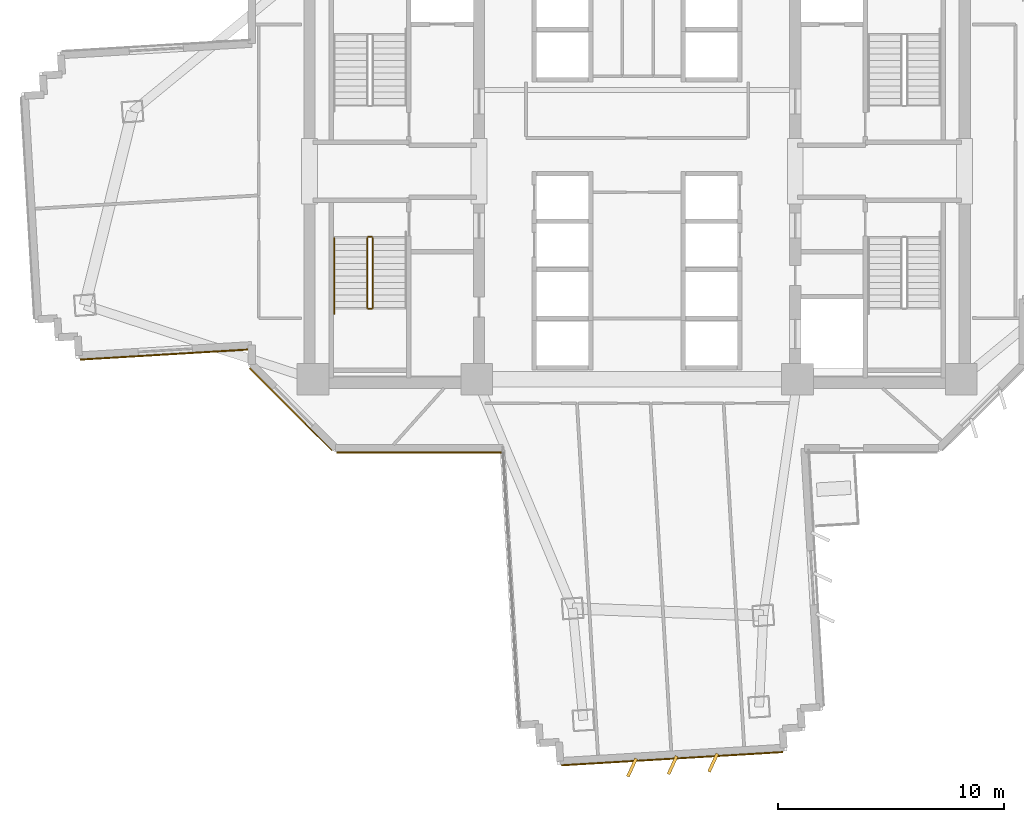
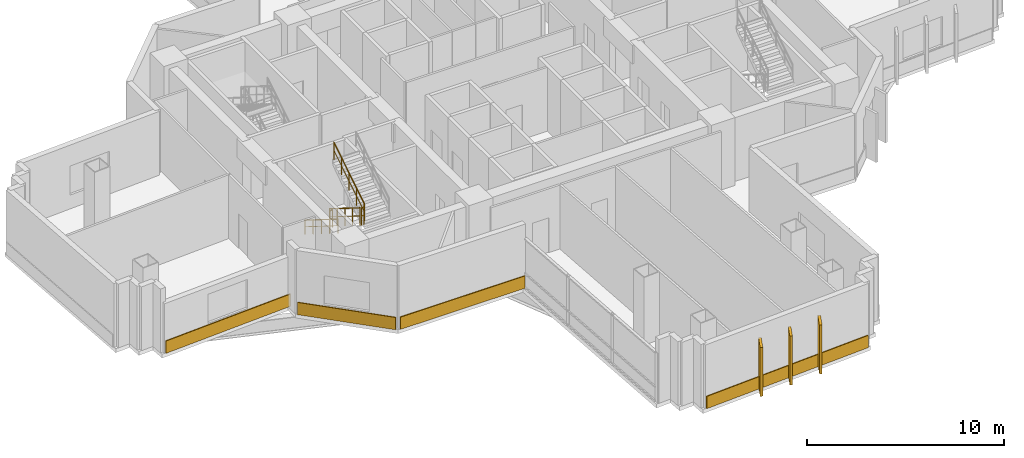
# One storey, part 11 of 15: 7 coverings, 5 railings.
"""IFC4 building model written with IfcOpenShell, lengths in metres."""

import ifcopenshell
import ifcopenshell.guid

model = None  # the IFC model being written
_history = None  # IfcOwnerHistory: only IFC2X3 demands one
_inside = {}  # id of a spatial element -> (the spatial element, [elements in it])
_under = {}  # id of a project, library or spatial element -> (it, [spatial elements below it])
_declared = {}  # id of a project -> (the project, [libraries it declares])
_typed = {}  # id of a type object -> (the type object, [elements of that type])
_made_of = {}  # id of a material, layer set ... -> (it, [elements and type objects made of it])


def new_model(schema):
    """Start an empty IFC model of exactly this schema.

    Asked for "IFC4X3", IfcOpenShell would pick the latest addendum, in which some entities
    have other attributes; the version numbers below select the first issue.
    IFC2X3 requires an IfcOwnerHistory on every rooted entity: one is made here for all.
    """
    global model, _history
    if schema == "IFC4X3":
        model = ifcopenshell.file(schema_version=(4, 3, 0, 0))
    else:
        model = ifcopenshell.file(schema=schema)
    _inside.clear()
    _under.clear()
    _declared.clear()
    _typed.clear()
    _made_of.clear()
    _history = None
    if model.schema == "IFC2X3":
        org = make("IfcOrganization", Name="unknown")
        user = make(
            "IfcPersonAndOrganization",
            ThePerson=make("IfcPerson", FamilyName="unknown"),
            TheOrganization=org,
        )
        app = make(
            "IfcApplication",
            ApplicationDeveloper=org,
            Version="unknown",
            ApplicationFullName="unknown",
            ApplicationIdentifier="unknown",
        )
        _history = make(
            "IfcOwnerHistory",
            OwningUser=user,
            OwningApplication=app,
            ChangeAction="ADDED",
            CreationDate=0,
        )
    return model


def make(cls, **values):
    """One entity of the class cls with the attributes given. An attribute that is None is left unset."""
    return model.create_entity(
        cls, **{name: value for name, value in values.items() if value is not None}
    )


def rooted(cls, **values):
    """An entity with a GlobalId (a new one), such as an element, a storey or a relation."""
    return make(cls, GlobalId=ifcopenshell.guid.new(), OwnerHistory=_history, **values)


def si_unit(unit_type, name, prefix=None):
    """IfcSIUnit, for example si_unit("LENGTHUNIT", "METRE", prefix="MILLI")."""
    return make("IfcSIUnit", UnitType=unit_type, Prefix=prefix, Name=name)


def assignment(units):
    """IfcUnitAssignment: the units of a project."""
    return None if units is None else make("IfcUnitAssignment", Units=units)


def point(xyz):
    """IfcCartesianPoint."""
    return None if xyz is None else make("IfcCartesianPoint", Coordinates=xyz)


def direction(xyz):
    """IfcDirection."""
    return None if xyz is None else make("IfcDirection", DirectionRatios=xyz)


def frame(location, z_axis=None, x_axis=None):
    """IfcAxis2Placement3D, a coordinate frame: its origin and axes. An axis left out is left unset."""
    return make(
        "IfcAxis2Placement3D",
        Location=point(location),
        Axis=direction(z_axis),
        RefDirection=direction(x_axis),
    )


def frame_2d(location, x_axis=None):
    """IfcAxis2Placement2D, a coordinate frame in the plane: its origin and x axis."""
    return make(
        "IfcAxis2Placement2D", Location=point(location), RefDirection=direction(x_axis)
    )


def origin():
    """The frame at (0, 0, 0) with its axes left unset."""
    return frame((0.0, 0.0, 0.0))


def origin_2d():
    """The frame at (0, 0) in the plane with its x axis left unset."""
    return frame_2d((0.0, 0.0))


def place(relative_to, where):
    """IfcLocalPlacement: puts the frame where relative to a parent placement (None: the world)."""
    return make(
        "IfcLocalPlacement", PlacementRelTo=relative_to, RelativePlacement=where
    )


def context(
    kind, dimensions, precision=None, world=None, true_north=None, identifier=None
):
    """IfcGeometricRepresentationContext, for example the 3D "Model" context."""
    return make(
        "IfcGeometricRepresentationContext",
        ContextIdentifier=identifier,
        ContextType=kind,
        CoordinateSpaceDimension=dimensions,
        Precision=precision,
        WorldCoordinateSystem=world,
        TrueNorth=true_north,
    )


def subcontext(parent, identifier, kind, view, scale=None):
    """IfcGeometricRepresentationSubContext, for example "Body" below "Model"."""
    return make(
        "IfcGeometricRepresentationSubContext",
        ContextIdentifier=identifier,
        ContextType=kind,
        ParentContext=parent,
        TargetScale=scale,
        TargetView=view,
    )


def project(units=None, contexts=None):
    """IfcProject with its units and contexts."""
    return rooted(
        "IfcProject",
        Name="project",
        RepresentationContexts=contexts,
        UnitsInContext=assignment(units),
    )


def spatial(cls, under=None, at=None, **own):
    """A site, building, storey or space (cls), placed at a placement, below another one or the project."""
    s = rooted(cls, ObjectPlacement=at, **own)
    if under is not None:
        _under.setdefault(under.id(), (under, []))[1].append(s)
    return s


def profile(cls, at=None, kind="AREA", **sizes):
    """A parametric profile (cls). Its sizes go by their IFC names, for example OverallWidth=200.0."""
    return make(cls, ProfileType=kind, Position=at, **sizes)


def rectangle(**sizes):
    """IfcRectangleProfileDef."""
    return profile("IfcRectangleProfileDef", **sizes)


def extrude(swept, where, along, depth):
    """IfcExtrudedAreaSolid: the profile swept, set in the frame where, extruded along a direction by depth."""
    return make(
        "IfcExtrudedAreaSolid",
        SweptArea=swept,
        Position=where,
        ExtrudedDirection=direction(along),
        Depth=depth,
    )


def shape(context_of_items, identifier, shape_type, items):
    """IfcShapeRepresentation: the items that make up one representation, for example the "Body"."""
    return make(
        "IfcShapeRepresentation",
        ContextOfItems=context_of_items,
        RepresentationIdentifier=identifier,
        RepresentationType=shape_type,
        Items=items,
    )


def source(mapping_origin, context_of_items, identifier, shape_type, items):
    """IfcRepresentationMap: a shape defined once, which mapped items show again and again."""
    return make(
        "IfcRepresentationMap",
        MappingOrigin=mapping_origin,
        MappedRepresentation=shape(context_of_items, identifier, shape_type, items),
    )


def transform(
    local_origin,
    x_axis=None,
    y_axis=None,
    z_axis=None,
    scale=None,
    scale2=None,
    scale3=None,
    uniform=True,
):
    """IfcCartesianTransformationOperator3D, or its non-uniform kind. x_axis, y_axis, z_axis: its Axis1, 2, 3."""
    if uniform:
        return make(
            "IfcCartesianTransformationOperator3D",
            Axis1=direction(x_axis),
            Axis2=direction(y_axis),
            LocalOrigin=point(local_origin),
            Scale=scale,
            Axis3=direction(z_axis),
        )
    return make(
        "IfcCartesianTransformationOperator3DnonUniform",
        Axis1=direction(x_axis),
        Axis2=direction(y_axis),
        LocalOrigin=point(local_origin),
        Scale=scale,
        Axis3=direction(z_axis),
        Scale2=scale2,
        Scale3=scale3,
    )


def mapped(mapping_source, mapping_target):
    """IfcMappedItem: shows the shape of a source again, moved by a transform."""
    return make(
        "IfcMappedItem", MappingSource=mapping_source, MappingTarget=mapping_target
    )


def material(Name=None, Category=None):
    """IfcMaterial."""
    return make("IfcMaterial", Name=Name, Category=Category)


def layer(
    of_material, thickness, ventilated=None, Name=None, Category=None, Priority=None
):
    """IfcMaterialLayer: one layer of a wall or slab, of a material (None: an air gap)."""
    return make(
        "IfcMaterialLayer",
        Material=of_material,
        LayerThickness=thickness,
        IsVentilated=ventilated,
        Name=Name,
        Category=Category,
        Priority=Priority,
    )


def layer_set(layers, Name=None):
    """IfcMaterialLayerSet."""
    return make("IfcMaterialLayerSet", MaterialLayers=layers, LayerSetName=Name)


def made_of(thing, what):
    """Note that an element or type object is made of a material, layer set ...; save() writes the relation."""
    if what is not None:
        _made_of.setdefault(what.id(), (what, []))[1].append(thing)
    return thing


def type_object(cls, material=None, **own):
    """A type object (cls), such as IfcWallType, which elements share."""
    return made_of(rooted(cls, **own), material)


def element(
    cls,
    number,
    at=None,
    inside=None,
    cuts=None,
    type_object=None,
    material=None,
    context=None,
    identifier="Body",
    shape_type=None,
    held_by="IfcProductDefinitionShape",
    body=None,
    shapes=None,
    **own,
):
    """One element of the class cls, such as IfcWall. Its Tag is "e" and its number.

    at: its placement. inside: the storey or other place that contains it. cuts: it is an
    opening in that element (IfcRelVoidsElement). A single representation is given by context,
    identifier, shape_type and body (its items); several are given by shapes. held_by: the class
    of the entity that holds the representations. save() writes the other relations.
    """
    e = rooted(cls, Tag="e%d" % number, ObjectPlacement=at, **own)
    if body is not None:
        shapes = [shape(context, identifier, shape_type, body)]
    if shapes is not None:
        e.Representation = make(held_by, Representations=shapes)
    if inside is not None:
        _inside.setdefault(inside.id(), (inside, []))[1].append(e)
    if cuts is not None:
        rooted(
            "IfcRelVoidsElement", RelatingBuildingElement=cuts, RelatedOpeningElement=e
        )
    if type_object is not None:
        _typed.setdefault(type_object.id(), (type_object, []))[1].append(e)
    return made_of(e, material)


def aggregate(whole, parts):
    """IfcRelAggregates: a whole, such as a stair, and the parts it consists of."""
    return rooted("IfcRelAggregates", RelatingObject=whole, RelatedObjects=parts)


def save(model, path):
    """Write the relations noted so far, then the file.

    IfcRelAggregates (storeys below a building ...), IfcRelContainedInSpatialStructure (elements
    in a storey), IfcRelDefinesByType, IfcRelAssociatesMaterial and IfcRelDeclares: one each for
    every whole, place, type object, material and project.
    """
    for whole, parts in _under.values():
        aggregate(whole, parts)
    for where, things in _inside.values():
        rooted(
            "IfcRelContainedInSpatialStructure",
            RelatedElements=things,
            RelatingStructure=where,
        )
    for kind, things in _typed.values():
        rooted("IfcRelDefinesByType", RelatedObjects=things, RelatingType=kind)
    for what, things in _made_of.values():
        rooted("IfcRelAssociatesMaterial", RelatedObjects=things, RelatingMaterial=what)
    for by, libraries in _declared.values():
        rooted("IfcRelDeclares", RelatingContext=by, RelatedDefinitions=libraries)
    model.write(path)


model = new_model("IFC4")

# Units and contexts
model_context = context("Model", 3, precision=1e-05, world=origin(), true_north=direction((0.0, 1.0)))
body_context = subcontext(model_context, "Body", "Model", "MODEL_VIEW")
ifc_project = project(units=[si_unit("LENGTHUNIT", "METRE"), si_unit("AREAUNIT", "SQUARE_METRE"), si_unit("VOLUMEUNIT", "CUBIC_METRE"), si_unit("PLANEANGLEUNIT", "RADIAN"), si_unit("MASSUNIT", "GRAM", prefix="KILO")], contexts=[model_context])

# Site, building, storey
site_placement = place(None, origin())
site = spatial("IfcSite", under=ifc_project, at=site_placement, CompositionType="ELEMENT")
building_placement = place(site_placement, origin())
building = spatial("IfcBuilding", under=site, at=building_placement, Name="Zahravan Cultural Tower", CompositionType="ELEMENT")
storey_placement = place(building_placement, frame((0.0, 0.0, 66.89990234375)))
storey = spatial("IfcBuildingStorey", under=building, at=storey_placement, Name="L14", CompositionType="ELEMENT", Elevation=66.89990234375)

# Railings
ifc_material_1 = material(Name="Steel ASTM A572 Grade 50", Category="steel")
railing_type_1 = type_object("IfcRailingType", Name="RL-STAIR-GRD1150", PredefinedType="BALUSTRADE", material=ifc_material_1)
railing_1_placement = place(storey_placement, frame((24.050048828125, 24.050048828125, 0.175048828125)))
element("IfcRailing", 1, at=railing_1_placement, inside=storey, type_object=railing_type_1, Name="L14 ST-W2 stair guard 1", PredefinedType="BALUSTRADE", context=body_context, shape_type="SweptSolid", body=[
    extrude(rectangle(XDim=0.05, YDim=0.05, at=origin_2d()), frame((0.0, 0.0, 1.0751953125), z_axis=(0.0, -0.847998304005, 0.529998940003), x_axis=(1.0, 0.0, 0.0)), (0.0, 0.0, 1.0), 3.632080078125),
    extrude(rectangle(XDim=0.032, YDim=0.032, at=origin_2d()), frame((0.0, 0.0, 0.572021484375), z_axis=(0.0, -0.847998304005, 0.529998940003), x_axis=(1.0, 0.0, 0.0)), (0.0, 0.0, 1.0), 3.632080078125),
    extrude(rectangle(XDim=0.04, YDim=0.04, at=origin_2d()), origin(), (0.0, 0.0, 1.0), 1.10009765625),
    extrude(rectangle(XDim=0.04, YDim=0.04, at=origin_2d()), frame((0.0, -0.77001953125, 0.481201171875)), (0.0, 0.0, 1.0), 1.10009765625),
    extrude(rectangle(XDim=0.04, YDim=0.04, at=origin_2d()), frame((0.0, -1.5400390625, 0.96240234375)), (0.0, 0.0, 1.0), 1.10009765625),
    extrude(rectangle(XDim=0.04, YDim=0.04, at=origin_2d()), frame((0.0, -2.31005859375, 1.44384765625)), (0.0, 0.0, 1.0), 1.10009765625),
    extrude(rectangle(XDim=0.04, YDim=0.04, at=origin_2d()), frame((0.0, -3.080078125, 1.925048828125)), (0.0, 0.0, 1.0), 1.10009765625),
])
railing_2_placement = place(storey_placement, frame((24.10009765625, 20.919921875, 2.10009765625)))
element("IfcRailing", 2, at=railing_2_placement, inside=storey, type_object=railing_type_1, Name="L14 ST-W2 stair guard 2", PredefinedType="BALUSTRADE", context=body_context, shape_type="SweptSolid", body=[
    extrude(rectangle(XDim=0.05, YDim=0.05, at=origin_2d()), frame((0.0, 0.0, 1.0751953125), z_axis=(1.0, 0.0, 0.0), x_axis=(0.0, 1.0, 0.0)), (0.0, 0.0, 1.0), 0.14990234375),
    extrude(rectangle(XDim=0.032, YDim=0.032, at=origin_2d()), frame((0.0, 0.0, 0.572021484375), z_axis=(1.0, 0.0, 0.0), x_axis=(0.0, 1.0, 0.0)), (0.0, 0.0, 1.0), 0.14990234375),
    extrude(rectangle(XDim=0.04, YDim=0.04, at=origin_2d()), origin(), (0.0, 0.0, 1.0), 1.10009765625),
    extrude(rectangle(XDim=0.04, YDim=0.04, at=origin_2d()), frame((0.14990234375, 0.0, 0.0)), (0.0, 0.0, 1.0), 1.10009765625),
])
railing_3_placement = place(storey_placement, frame((24.300048828125, 20.969970703125, 2.275146484375)))
element("IfcRailing", 3, at=railing_3_placement, inside=storey, type_object=railing_type_1, Name="L14 ST-W2 stair guard 3", PredefinedType="BALUSTRADE", context=body_context, shape_type="SweptSolid", body=[
    extrude(rectangle(XDim=0.05, YDim=0.05, at=origin_2d()), frame((0.0, 0.0, 1.0751953125), z_axis=(0.0, 0.847998304005, 0.529998940003), x_axis=(-1.0, 0.0, 0.0)), (0.0, 0.0, 1.0), 3.632080078125),
    extrude(rectangle(XDim=0.032, YDim=0.032, at=origin_2d()), frame((0.0, 0.0, 0.572021484375), z_axis=(0.0, 0.847998304005, 0.529998940003), x_axis=(-1.0, 0.0, 0.0)), (0.0, 0.0, 1.0), 3.632080078125),
    extrude(rectangle(XDim=0.04, YDim=0.04, at=origin_2d()), origin(), (0.0, 0.0, 1.0), 1.10009765625),
    extrude(rectangle(XDim=0.04, YDim=0.04, at=origin_2d()), frame((0.0, 0.77001953125, 0.481201171875)), (0.0, 0.0, 1.0), 1.10009765625),
    extrude(rectangle(XDim=0.04, YDim=0.04, at=origin_2d()), frame((0.0, 1.5400390625, 0.96240234375)), (0.0, 0.0, 1.0), 1.10009765625),
    extrude(rectangle(XDim=0.04, YDim=0.04, at=origin_2d()), frame((0.0, 2.31005859375, 1.44384765625)), (0.0, 0.0, 1.0), 1.10009765625),
    extrude(rectangle(XDim=0.04, YDim=0.04, at=origin_2d()), frame((0.0, 3.080078125, 1.925048828125)), (0.0, 0.0, 1.0), 1.10009765625),
])
railing_4_placement = place(storey_placement, frame((24.10009765625, 24.10009765625, 0.0)))
element("IfcRailing", 4, at=railing_4_placement, inside=storey, type_object=railing_type_1, Name="L14 ST-W2 stair guard 4", PredefinedType="BALUSTRADE", context=body_context, shape_type="SweptSolid", body=[
    extrude(rectangle(XDim=0.05, YDim=0.05, at=origin_2d()), frame((0.0, 0.0, 1.0751953125), z_axis=(1.0, 0.0, 0.0), x_axis=(0.0, 1.0, 0.0)), (0.0, 0.0, 1.0), 0.14990234375),
    extrude(rectangle(XDim=0.032, YDim=0.032, at=origin_2d()), frame((0.0, 0.0, 0.572021484375), z_axis=(1.0, 0.0, 0.0), x_axis=(0.0, 1.0, 0.0)), (0.0, 0.0, 1.0), 0.14990234375),
    extrude(rectangle(XDim=0.04, YDim=0.04, at=origin_2d()), origin(), (0.0, 0.0, 1.0), 1.10009765625),
    extrude(rectangle(XDim=0.04, YDim=0.04, at=origin_2d()), frame((0.14990234375, 0.0, 0.0)), (0.0, 0.0, 1.0), 1.10009765625),
])
railing_type_2 = type_object("IfcRailingType", Name="RL-STAIR-HR900", PredefinedType="HANDRAIL", material=ifc_material_1)
railing_5_placement = place(storey_placement, frame((22.60009765625, 24.050048828125, 0.175048828125)))
element("IfcRailing", 5, at=railing_5_placement, inside=storey, type_object=railing_type_2, Name="L14 ST-W2 stair handrail 1", PredefinedType="HANDRAIL", context=body_context, shape_type="SweptSolid", body=[
    extrude(rectangle(XDim=0.05, YDim=0.05, at=origin_2d()), frame((0.0, 0.0, 0.875), z_axis=(0.0, -0.847994842521, 0.530004478338), x_axis=(1.0, 0.0, 0.0)), (0.0, 0.0, 1.0), 3.96240234375),
    extrude(rectangle(XDim=0.032, YDim=0.032, at=origin_2d()), frame((0.0, 0.0, 0.468017578125), z_axis=(0.0, -0.847994842521, 0.530004478338), x_axis=(1.0, 0.0, 0.0)), (0.0, 0.0, 1.0), 3.96240234375),
    extrude(rectangle(XDim=0.04, YDim=0.04, at=origin_2d()), origin(), (0.0, 0.0, 1.0), 0.89990234375),
    extrude(rectangle(XDim=0.04, YDim=0.04, at=origin_2d()), frame((0.0, -0.840087890625, 0.52490234375)), (0.0, 0.0, 1.0), 0.89990234375),
    extrude(rectangle(XDim=0.04, YDim=0.04, at=origin_2d()), frame((0.0, -1.68017578125, 1.050048828125)), (0.0, 0.0, 1.0), 0.89990234375),
    extrude(rectangle(XDim=0.04, YDim=0.04, at=origin_2d()), frame((0.0, -2.52001953125, 1.5751953125)), (0.0, 0.0, 1.0), 0.89990234375),
    extrude(rectangle(XDim=0.04, YDim=0.04, at=origin_2d()), frame((0.0, -3.360107421875, 2.10009765625)), (0.0, 0.0, 1.0), 0.89990234375),
])

# Coverings
ifc_material_2 = material(Name="Terracotta ceramic cladding", Category="masonry")
ifc_layer = layer(ifc_material_2, 0.06005859375)
ifc_layer_set = layer_set([ifc_layer], Name="Terracotta ceramic cladding")
covering_type = type_object("IfcCoveringType", Name="COV-CLAD-TC60", PredefinedType="CLADDING", material=ifc_layer_set)
shared_shape_1 = source(origin(), body_context, "Body", "SweptSolid", [
    extrude(rectangle(XDim=9.820068359375, YDim=0.06005859375, at=origin_2d()), origin(), (0.0, 0.0, 1.0), 0.760009765625),
])
covering_1_placement = place(storey_placement, frame((37.5537109375, 1.00146484375, 0.02001953125), z_axis=(0.0, 0.0, 1.0), x_axis=(-0.998219065278, -0.05965482139, 0.0)))
element("IfcCovering", 6, at=covering_1_placement, inside=storey, type_object=covering_type, Name="L14 Terracotta Spandrel Cladding 20", PredefinedType="CLADDING", context=body_context, shape_type="MappedRepresentation", body=[
    mapped(shared_shape_1, transform((0.0, 0.0, 0.0), x_axis=(1.0, 0.0, 0.0), y_axis=(0.0, 1.0, 0.0), z_axis=(0.0, 0.0, 1.0), scale=1.0)),
])
shared_shape_2 = source(origin(), body_context, "Body", "SweptSolid", [
    extrude(rectangle(XDim=5.157958984375, YDim=0.06005859375, at=origin_2d()), origin(), (0.0, 0.0, 1.0), 0.760009765625),
])
covering_2_placement = place(storey_placement, frame((20.668212890625, 16.46826171875, 0.02001953125), z_axis=(0.0, 0.0, 1.0), x_axis=(-0.707106781187, 0.707106781187, 0.0)))
element("IfcCovering", 7, at=covering_2_placement, inside=storey, type_object=covering_type, Name="L14 Terracotta Spandrel Cladding 26", PredefinedType="CLADDING", context=body_context, shape_type="MappedRepresentation", body=[
    mapped(shared_shape_2, transform((0.0, 0.0, 0.0), x_axis=(1.0, 0.0, 0.0), y_axis=(0.0, 1.0, 0.0), z_axis=(0.0, 0.0, 1.0), scale=1.0)),
])
shared_shape_3 = source(origin(), body_context, "Body", "SweptSolid", [
    extrude(rectangle(XDim=0.8798828125, YDim=0.139892578125, at=origin_2d()), origin(), (0.0, 0.0, 1.0), 3.030029296875),
])
for number, where, z_axis, x_axis, name in (
    (8, (39.367431640625, 0.82421875, 0.05029296875), (0.0, 0.0, 1.0), (-0.41596338363, -0.909381363059, 0.0), "L14 Herringbone Terracotta Fin 15"),
    (9, (37.57080078125, 0.716796875, 0.05029296875), (0.0, 0.0, 1.0), (-0.41596338363, -0.909381363059, 0.0), "L14 Herringbone Terracotta Fin 16"),
    (10, (35.77392578125, 0.609619140625, 0.05029296875), (0.0, 0.0, 1.0), (-0.41596338363, -0.909381363059, 0.0), "L14 Herringbone Terracotta Fin 17"),
):
    element("IfcCovering", number, at=place(storey_placement, frame(where, z_axis=z_axis, x_axis=x_axis)), inside=storey, type_object=covering_type, Name=name, PredefinedType="CLADDING", context=body_context, shape_type="MappedRepresentation", body=[
        mapped(shared_shape_3, transform((0.0, 0.0, 0.0), x_axis=(1.0, 0.0, 0.0), y_axis=(0.0, 1.0, 0.0), z_axis=(0.0, 0.0, 1.0), scale=1.0)),
    ])
shared_shape_4 = source(origin(), body_context, "Body", "SweptSolid", [
    extrude(rectangle(XDim=7.571533203125, YDim=0.06005859375, at=origin_2d()), origin(), (0.0, 0.0, 1.0), 0.760009765625),
])
covering_3_placement = place(storey_placement, frame((15.1220703125, 18.89501953125, 0.02001953125), z_axis=(0.0, 0.0, 1.0), x_axis=(-0.998219065278, -0.05965482139, 0.0)))
element("IfcCovering", 11, at=covering_3_placement, inside=storey, type_object=covering_type, Name="L14 Terracotta Spandrel Cladding 28", PredefinedType="CLADDING", context=body_context, shape_type="MappedRepresentation", body=[
    mapped(shared_shape_4, transform((0.0, 0.0, 0.0), x_axis=(1.0, 0.0, 0.0), y_axis=(0.0, 1.0, 0.0), z_axis=(0.0, 0.0, 1.0), scale=1.0)),
])
shared_shape_5 = source(origin(), body_context, "Body", "SweptSolid", [
    extrude(rectangle(XDim=7.302734375, YDim=0.06005859375, at=origin_2d()), origin(), (0.0, 0.0, 1.0), 0.760009765625),
])
covering_4_placement = place(storey_placement, frame((26.359375, 14.554931640625, 0.02001953125), z_axis=(0.0, 0.0, 1.0), x_axis=(-1.0, 0.0, 0.0)))
element("IfcCovering", 12, at=covering_4_placement, inside=storey, type_object=covering_type, Name="L14 Terracotta Spandrel Cladding 25", PredefinedType="CLADDING", context=body_context, shape_type="MappedRepresentation", body=[
    mapped(shared_shape_5, transform((0.0, 0.0, 0.0), x_axis=(1.0, 0.0, 0.0), y_axis=(0.0, 1.0, 0.0), z_axis=(0.0, 0.0, 1.0), scale=1.0)),
])

save(model, "model.ifc")
